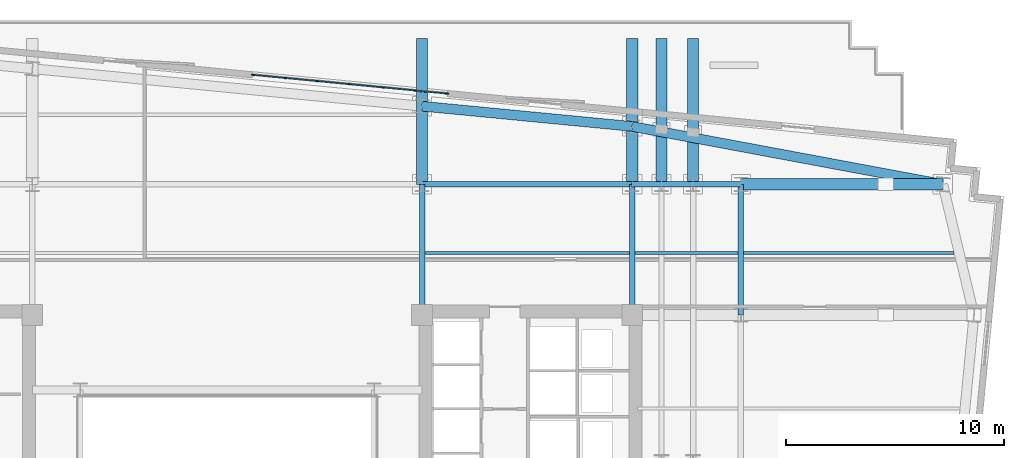
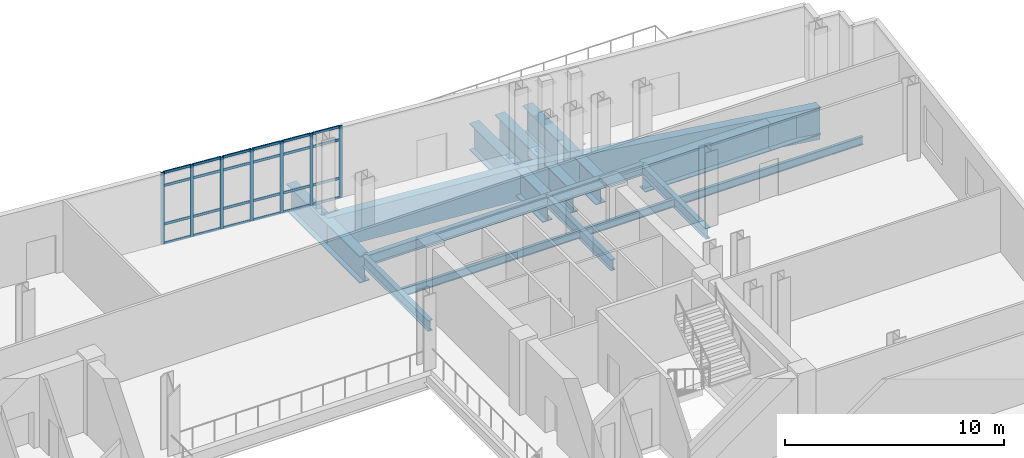
# One storey, part 3 of 11: 31 members, 16 beams, 1 element without a shape of its own.
"""IFC4 building model written with IfcOpenShell, lengths in metres."""

from ifc_helpers import new_model, si_unit, direction, frame, origin, origin_2d, place, context, subcontext, project, spatial, rectangle, i_section, extrude, material, layer, layer_set, material_profile, profile_set, type_object, element, aggregate, save


model = new_model("IFC4")

# Units and contexts
model_context = context("Model", 3, precision=1e-05, world=origin(), true_north=direction((0.0, 1.0)))
body_context = subcontext(model_context, "Body", "Model", "MODEL_VIEW")
ifc_project = project(units=[si_unit("LENGTHUNIT", "METRE"), si_unit("AREAUNIT", "SQUARE_METRE"), si_unit("VOLUMEUNIT", "CUBIC_METRE"), si_unit("PLANEANGLEUNIT", "RADIAN"), si_unit("MASSUNIT", "GRAM", prefix="KILO")], contexts=[model_context])

# Site, building, storey
site_placement = place(None, origin())
site = spatial("IfcSite", under=ifc_project, at=site_placement, CompositionType="ELEMENT")
building_placement = place(site_placement, origin())
building = spatial("IfcBuilding", under=site, at=building_placement, Name="Velakula Bourse", CompositionType="ELEMENT")
storey_placement = place(building_placement, frame((0.0, 0.0, 156.199951171875)))
storey = spatial("IfcBuildingStorey", under=building, at=storey_placement, Name="L42", CompositionType="ELEMENT", Elevation=156.199951171875)

# Beams
ifc_material_1 = material(Name="Steel IS 2062 Grade 350 (E350)", Category="steel")
ifc_material_profile_1 = material_profile(ifc_material_1, i_section(OverallWidth=0.25, OverallDepth=0.60009765625, WebThickness=0.01123046875, FlangeThickness=0.021240234375, at=origin_2d()), Name="Steel IS 2062 Grade 350 (E350)")
ifc_profile_set_1 = profile_set([ifc_material_profile_1], Name="Steel IS 2062 Grade 350 (E350)")
beam_type_1 = type_object("IfcBeamType", Name="BM-GRD-600M", PredefinedType="BEAM", material=ifc_profile_set_1)
for number, where, z_axis, x_axis, name in (
    (1, (8.949951171875, 8.60009765625, -0.579833984375), (0.0, 1.0, 0.0), (-1.0, 0.0, 0.0), "L42 Fulcrum Grid Girder FLC-ECN"),
    (2, (18.60009765625, 8.60009765625, -0.579833984375), (0.0, 1.0, 0.0), (-1.0, 0.0, 0.0), "L42 Fulcrum Grid Girder FLC-EN"),
):
    element("IfcBeam", number, at=place(storey_placement, frame(where, z_axis=z_axis, x_axis=x_axis)), inside=storey, type_object=beam_type_1, Name=name, PredefinedType="BEAM", context=body_context, shape_type="SweptSolid", body=[
        extrude(i_section(OverallWidth=0.25, OverallDepth=0.60009765625, WebThickness=0.01123046875, FlangeThickness=0.021240234375, at=origin_2d()), origin(), (0.0, 0.0, 1.0), 6.0),
    ])
beam_1_placement = place(storey_placement, frame((8.949951171875, 14.60009765625, -0.579833984375), z_axis=(1.0, 0.0, 0.0), x_axis=(0.0, 1.0, 0.0)))
element("IfcBeam", 3, at=beam_1_placement, inside=storey, type_object=beam_type_1, Name="L42 Fulcrum Grid Girder FLC-N3", PredefinedType="BEAM", context=body_context, shape_type="SweptSolid", body=[
    extrude(i_section(OverallWidth=0.25, OverallDepth=0.60009765625, WebThickness=0.01123046875, FlangeThickness=0.021240234375, at=origin_2d()), origin(), (0.0, 0.0, 1.0), 9.650146484375),
])
beam_2_placement = place(storey_placement, frame((18.60009765625, 14.60009765625, -0.579833984375), z_axis=(1.0, 0.0, 0.0), x_axis=(0.0, 1.0, 0.0)))
element("IfcBeam", 4, at=beam_2_placement, inside=storey, type_object=beam_type_1, Name="L42 Fulcrum Grid Girder MWG-EN2", PredefinedType="BEAM", context=body_context, shape_type="SweptSolid", body=[
    extrude(i_section(OverallWidth=0.25, OverallDepth=0.60009765625, WebThickness=0.01123046875, FlangeThickness=0.021240234375, at=origin_2d()), origin(), (0.0, 0.0, 1.0), 5.0),
])
beam_3_placement = place(storey_placement, frame((23.60009765625, 8.60009765625, -0.579833984375), z_axis=(0.0, 1.0, 0.0), x_axis=(-1.0, 0.0, 0.0)))
element("IfcBeam", 5, at=beam_3_placement, inside=storey, type_object=beam_type_1, Name="L42 Fulcrum Grid Girder MWG-ENS3", PredefinedType="BEAM", context=body_context, shape_type="SweptSolid", body=[
    extrude(i_section(OverallWidth=0.25, OverallDepth=0.60009765625, WebThickness=0.01123046875, FlangeThickness=0.021240234375, at=origin_2d()), origin(), (0.0, 0.0, 1.0), 6.0),
])
ifc_material_profile_2 = material_profile(ifc_material_1, i_section(OverallWidth=0.14990234375, OverallDepth=0.449951171875, WebThickness=0.009521484375, FlangeThickness=0.017333984375, at=origin_2d()), Name="Steel IS 2062 Grade 350 (E350)")
ifc_profile_set_2 = profile_set([ifc_material_profile_2], Name="Steel IS 2062 Grade 350 (E350)")
beam_type_2 = type_object("IfcBeamType", Name="JST-TWR-450", PredefinedType="JOIST", material=ifc_profile_set_2)
beam_4_placement = place(storey_placement, frame((9.074951171875, 11.449951171875, -0.5048828125), z_axis=(1.0, 0.0, 0.0), x_axis=(0.0, 1.0, 0.0)))
element("IfcBeam", 6, at=beam_4_placement, inside=storey, type_object=beam_type_2, Name="L42 Trading Floor Composite Joist 14", PredefinedType="JOIST", context=body_context, shape_type="SweptSolid", body=[
    extrude(i_section(OverallWidth=0.14990234375, OverallDepth=0.449951171875, WebThickness=0.009521484375, FlangeThickness=0.017333984375, at=origin_2d()), origin(), (0.0, 0.0, 1.0), 9.400146484375),
])
beam_5_placement = place(storey_placement, frame((18.72509765625, 11.449951171875, -0.5048828125), z_axis=(1.0, 0.0, 0.0), x_axis=(0.0, 1.0, 0.0)))
element("IfcBeam", 7, at=beam_5_placement, inside=storey, type_object=beam_type_2, Name="L42 Trading Floor Composite Joist 15", PredefinedType="JOIST", context=body_context, shape_type="SweptSolid", body=[
    extrude(i_section(OverallWidth=0.14990234375, OverallDepth=0.449951171875, WebThickness=0.009521484375, FlangeThickness=0.017333984375, at=origin_2d()), origin(), (0.0, 0.0, 1.0), 4.75),
])
beam_6_placement = place(storey_placement, frame((23.72509765625, 11.449951171875, -0.5048828125), z_axis=(1.0, 0.0, 0.0), x_axis=(0.0, 1.0, 0.0)))
element("IfcBeam", 8, at=beam_6_placement, inside=storey, type_object=beam_type_2, Name="L42 Trading Floor Composite Joist 16", PredefinedType="JOIST", context=body_context, shape_type="SweptSolid", body=[
    extrude(i_section(OverallWidth=0.14990234375, OverallDepth=0.449951171875, WebThickness=0.009521484375, FlangeThickness=0.017333984375, at=origin_2d()), origin(), (0.0, 0.0, 1.0), 9.668701171875),
])

# Curtain wall, members
ifc_material_2 = material(Name="Anodised bronze architectural aluminium", Category="aluminium")
ifc_layer = layer(ifc_material_2, 0.1650390625, Name="Anodised bronze architectural aluminium", Category="aluminium")
ifc_layer_set = layer_set([ifc_layer], Name="Anodised bronze architectural aluminium")
curtain_wall_type = type_object("IfcCurtainWallType", Name="CW-SL1", PredefinedType="NOTDEFINED", material=ifc_layer_set)
curtain_wall_placement = place(storey_placement, origin())
curtain_wall = element("IfcCurtainWall", 9, at=curtain_wall_placement, inside=storey, type_object=curtain_wall_type, Name="L42 Sky-Lobby Feature Curtain Wall", PredefinedType="NOTDEFINED")
ifc_material_profile_3 = material_profile(ifc_material_2, rectangle(XDim=0.06005859375, YDim=0.1650390625, at=origin_2d()), Name="Anodised bronze architectural aluminium")
ifc_profile_set_3 = profile_set([ifc_material_profile_3], Name="Anodised bronze architectural aluminium")
member_type_1 = type_object("IfcMemberType", Name="MUL-CW-SL1", PredefinedType="MULLION", material=ifc_profile_set_3)
member_1_placement = place(storey_placement, frame((1.18994140625, 19.630126953125, 0.0), z_axis=(0.0, 0.0, 1.0), x_axis=(0.095855102754, 0.995395297998, 0.0)))
member_1 = element("IfcMember", 10, at=member_1_placement, type_object=member_type_1, Name="CW-SL1 mullion 1", PredefinedType="MULLION", context=body_context, shape_type="SweptSolid", body=[
    extrude(rectangle(XDim=0.06005859375, YDim=0.1650390625, at=origin_2d()), origin(), (0.0, 0.0, 1.0), 4.0),
])
member_2_placement = place(storey_placement, frame((2.653076171875, 19.4892578125, 0.0), z_axis=(0.0, 0.0, 1.0), x_axis=(0.095855102754, 0.995395297998, 0.0)))
member_2 = element("IfcMember", 11, at=member_2_placement, type_object=member_type_1, Name="CW-SL1 mullion 2", PredefinedType="MULLION", context=body_context, shape_type="SweptSolid", body=[
    extrude(rectangle(XDim=0.06005859375, YDim=0.1650390625, at=origin_2d()), origin(), (0.0, 0.0, 1.0), 4.0),
])
member_3_placement = place(storey_placement, frame((4.146240234375, 19.345458984375, 0.0), z_axis=(0.0, 0.0, 1.0), x_axis=(0.095855102754, 0.995395297998, 0.0)))
member_3 = element("IfcMember", 12, at=member_3_placement, type_object=member_type_1, Name="CW-SL1 mullion 3", PredefinedType="MULLION", context=body_context, shape_type="SweptSolid", body=[
    extrude(rectangle(XDim=0.06005859375, YDim=0.1650390625, at=origin_2d()), origin(), (0.0, 0.0, 1.0), 4.0),
])
member_4_placement = place(storey_placement, frame((5.639404296875, 19.20166015625, 0.0), z_axis=(0.0, 0.0, 1.0), x_axis=(0.095855102754, 0.995395297998, 0.0)))
member_4 = element("IfcMember", 13, at=member_4_placement, type_object=member_type_1, Name="CW-SL1 mullion 4", PredefinedType="MULLION", context=body_context, shape_type="SweptSolid", body=[
    extrude(rectangle(XDim=0.06005859375, YDim=0.1650390625, at=origin_2d()), origin(), (0.0, 0.0, 1.0), 4.0),
])
member_5_placement = place(storey_placement, frame((7.13232421875, 19.057861328125, 0.0), z_axis=(0.0, 0.0, 1.0), x_axis=(0.095855102754, 0.995395297998, 0.0)))
member_5 = element("IfcMember", 14, at=member_5_placement, type_object=member_type_1, Name="CW-SL1 mullion 5", PredefinedType="MULLION", context=body_context, shape_type="SweptSolid", body=[
    extrude(rectangle(XDim=0.06005859375, YDim=0.1650390625, at=origin_2d()), origin(), (0.0, 0.0, 1.0), 4.0),
])
member_6_placement = place(storey_placement, frame((8.62548828125, 18.9140625, 0.0), z_axis=(0.0, 0.0, 1.0), x_axis=(0.095855102754, 0.995395297998, 0.0)))
member_6 = element("IfcMember", 15, at=member_6_placement, type_object=member_type_1, Name="CW-SL1 mullion 6", PredefinedType="MULLION", context=body_context, shape_type="SweptSolid", body=[
    extrude(rectangle(XDim=0.06005859375, YDim=0.1650390625, at=origin_2d()), origin(), (0.0, 0.0, 1.0), 4.0),
])
member_7_placement = place(storey_placement, frame((10.088623046875, 18.773193359375, 0.0), z_axis=(0.0, 0.0, 1.0), x_axis=(0.095855102754, 0.995395297998, 0.0)))
member_7 = element("IfcMember", 16, at=member_7_placement, type_object=member_type_1, Name="CW-SL1 mullion 7", PredefinedType="MULLION", context=body_context, shape_type="SweptSolid", body=[
    extrude(rectangle(XDim=0.06005859375, YDim=0.1650390625, at=origin_2d()), origin(), (0.0, 0.0, 1.0), 4.0),
])

# Beams
ifc_material_3 = material(Name="Concrete M50 (fck 50 MPa)", Category="concrete")
ifc_material_profile_4 = material_profile(ifc_material_3, rectangle(XDim=0.449951171875, YDim=1.800048828125, at=origin_2d()), Name="Concrete M50 (fck 50 MPa)")
ifc_profile_set_4 = profile_set([ifc_material_profile_4], Name="Concrete M50 (fck 50 MPa)")
beam_type_3 = type_object("IfcBeamType", Name="SPN-TRF-1800", PredefinedType="SPANDREL", material=ifc_profile_set_4)
beam_7_placement = place(storey_placement, frame((8.949951171875, 18.189697265625, -1.179931640625), z_axis=(0.99539623971, -0.095845323155, 0.0), x_axis=(0.095845323155, 0.99539623971, 0.0)))
element("IfcBeam", 17, at=beam_7_placement, inside=storey, type_object=beam_type_3, Name="L42 Brick-Faced Precast Spandrel N3-N4", PredefinedType="SPANDREL", context=body_context, shape_type="SweptSolid", body=[
    extrude(rectangle(XDim=0.449951171875, YDim=1.800048828125, at=origin_2d()), origin(), (0.0, 0.0, 1.0), 9.69482421875),
])
beam_8_placement = place(storey_placement, frame((32.87353515625, 14.60009765625, -1.179931640625), z_axis=(-0.983069592122, 0.183232576378, 0.0), x_axis=(-0.183232576378, -0.983069592122, 0.0)))
element("IfcBeam", 18, at=beam_8_placement, inside=storey, type_object=beam_type_3, Name="L42 Brick-Faced Precast Spandrel E4-N4", PredefinedType="SPANDREL", context=body_context, shape_type="SweptSolid", body=[
    extrude(rectangle(XDim=0.449951171875, YDim=1.800048828125, at=origin_2d()), origin(), (0.0, 0.0, 1.0), 14.519287109375),
])
ifc_material_4 = material(Name="Steel IS 2062 Grade 450 (E450)", Category="steel")
ifc_material_profile_5 = material_profile(ifc_material_4, i_section(OverallWidth=0.52001953125, OverallDepth=1.5, WebThickness=0.030029296875, FlangeThickness=0.048095703125, at=origin_2d()), Name="Steel IS 2062 Grade 450 (E450)")
ifc_profile_set_5 = profile_set([ifc_material_profile_5], Name="Steel IS 2062 Grade 450 (E450)")
beam_type_4 = type_object("IfcBeamType", Name="TB-CANT-1500", PredefinedType="BEAM", material=ifc_profile_set_5)
for number, where, z_axis, x_axis, name in (
    (19, (8.949951171875, 14.60009765625, -1.030029296875), (0.0, 1.0, 0.0), (-1.0, 0.0, 0.0), "L42 Block B4 Transfer Girder N3"),
    (20, (18.60009765625, 14.60009765625, -1.030029296875), (0.0, 1.0, 0.0), (-1.0, 0.0, 0.0), "L42 Block B4 Transfer Girder N4"),
):
    element("IfcBeam", number, at=place(storey_placement, frame(where, z_axis=z_axis, x_axis=x_axis)), inside=storey, type_object=beam_type_4, Name=name, PredefinedType="BEAM", context=body_context, shape_type="SweptSolid", body=[
        extrude(i_section(OverallWidth=0.52001953125, OverallDepth=1.5, WebThickness=0.030029296875, FlangeThickness=0.048095703125, at=origin_2d()), origin(), (0.0, 0.0, 1.0), 6.699951171875),
    ])
beam_9_placement = place(storey_placement, frame((23.60009765625, 14.60009765625, -1.030029296875), z_axis=(1.0, 0.0, 0.0), x_axis=(0.0, 1.0, 0.0)))
element("IfcBeam", 21, at=beam_9_placement, inside=storey, type_object=beam_type_4, Name="L42 Collinear Transfer Back-Span Girder E4", PredefinedType="BEAM", context=body_context, shape_type="SweptSolid", body=[
    extrude(i_section(OverallWidth=0.52001953125, OverallDepth=1.5, WebThickness=0.030029296875, FlangeThickness=0.048095703125, at=origin_2d()), origin(), (0.0, 0.0, 1.0), 6.64990234375),
])
beam_10_placement = place(storey_placement, frame((30.25, 14.60009765625, -1.030029296875), z_axis=(1.0, 0.0, 0.0), x_axis=(0.0, 1.0, 0.0)))
element("IfcBeam", 22, at=beam_10_placement, inside=storey, type_object=beam_type_4, Name="L42 Primary Cantilever Transfer Chord E4", PredefinedType="BEAM", context=body_context, shape_type="SweptSolid", body=[
    extrude(i_section(OverallWidth=0.52001953125, OverallDepth=1.5, WebThickness=0.030029296875, FlangeThickness=0.048095703125, at=origin_2d()), origin(), (0.0, 0.0, 1.0), 2.62353515625),
])
for number, where, z_axis, x_axis, name in (
    (23, (19.949951171875, 14.60009765625, -1.030029296875), (0.0, 1.0, 0.0), (-1.0, 0.0, 0.0), "L42 Block B4 Transfer Girder P07"),
    (24, (21.39990234375, 14.60009765625, -1.030029296875), (0.0, 1.0, 0.0), (-1.0, 0.0, 0.0), "L42 Block B4 Transfer Girder P08"),
):
    element("IfcBeam", number, at=place(storey_placement, frame(where, z_axis=z_axis, x_axis=x_axis)), inside=storey, type_object=beam_type_4, Name=name, PredefinedType="BEAM", context=body_context, shape_type="SweptSolid", body=[
        extrude(i_section(OverallWidth=0.52001953125, OverallDepth=1.5, WebThickness=0.030029296875, FlangeThickness=0.048095703125, at=origin_2d()), origin(), (0.0, 0.0, 1.0), 6.699951171875),
    ])

# Member
ifc_material_profile_6 = material_profile(ifc_material_2, rectangle(XDim=0.06005859375, YDim=0.139892578125, at=origin_2d()), Name="Anodised bronze architectural aluminium")
ifc_profile_set_6 = profile_set([ifc_material_profile_6], Name="Anodised bronze architectural aluminium")
member_type_2 = type_object("IfcMemberType", Name="TRN-CW-SL1", PredefinedType="USERDEFINED", material=ifc_profile_set_6)
member_8_placement = place(storey_placement, frame((1.2197265625, 19.627197265625, 0.030029296875), z_axis=(0.995405538909, -0.095748697689, 0.0), x_axis=(0.095748697689, 0.995405538909, 0.0)))
member_8 = element("IfcMember", 25, at=member_8_placement, type_object=member_type_2, Name="CW-SL1 transom 1.1", ObjectType="TRANSOM", PredefinedType="USERDEFINED", context=body_context, shape_type="SweptSolid", body=[
    extrude(rectangle(XDim=0.06005859375, YDim=0.139892578125, at=origin_2d()), origin(), (0.0, 0.0, 1.0), 1.41015625),
])

member_9_placement = place(storey_placement, frame((1.2197265625, 19.627197265625, 1.10009765625), z_axis=(0.995405538909, -0.095748697689, 0.0), x_axis=(0.095748697689, 0.995405538909, 0.0)))
member_9 = element("IfcMember", 26, at=member_9_placement, type_object=member_type_2, Name="CW-SL1 transom 1.2", ObjectType="TRANSOM", PredefinedType="USERDEFINED", context=body_context, shape_type="SweptSolid", body=[
    extrude(rectangle(XDim=0.06005859375, YDim=0.139892578125, at=origin_2d()), origin(), (0.0, 0.0, 1.0), 1.41015625),
])

member_10_placement = place(storey_placement, frame((1.2197265625, 19.627197265625, 3.25), z_axis=(0.995405538909, -0.095748697689, 0.0), x_axis=(0.095748697689, 0.995405538909, 0.0)))
member_10 = element("IfcMember", 27, at=member_10_placement, type_object=member_type_2, Name="CW-SL1 transom 1.3", ObjectType="TRANSOM", PredefinedType="USERDEFINED", context=body_context, shape_type="SweptSolid", body=[
    extrude(rectangle(XDim=0.06005859375, YDim=0.139892578125, at=origin_2d()), origin(), (0.0, 0.0, 1.0), 1.41015625),
])

member_11_placement = place(storey_placement, frame((1.2197265625, 19.627197265625, 3.969970703125), z_axis=(0.995405538909, -0.095748697689, 0.0), x_axis=(0.095748697689, 0.995405538909, 0.0)))
member_11 = element("IfcMember", 28, at=member_11_placement, type_object=member_type_2, Name="CW-SL1 transom 1.4", ObjectType="TRANSOM", PredefinedType="USERDEFINED", context=body_context, shape_type="SweptSolid", body=[
    extrude(rectangle(XDim=0.06005859375, YDim=0.139892578125, at=origin_2d()), origin(), (0.0, 0.0, 1.0), 1.41015625),
])

member_12_placement = place(storey_placement, frame((2.682861328125, 19.486328125, 0.030029296875), z_axis=(0.995402815321, -0.095777007946, 0.0), x_axis=(0.095777007946, 0.995402815321, 0.0)))
member_12 = element("IfcMember", 29, at=member_12_placement, type_object=member_type_2, Name="CW-SL1 transom 2.1", ObjectType="TRANSOM", PredefinedType="USERDEFINED", context=body_context, shape_type="SweptSolid", body=[
    extrude(rectangle(XDim=0.06005859375, YDim=0.139892578125, at=origin_2d()), origin(), (0.0, 0.0, 1.0), 1.440185546875),
])

member_13_placement = place(storey_placement, frame((2.682861328125, 19.486328125, 1.10009765625), z_axis=(0.995402815321, -0.095777007946, 0.0), x_axis=(0.095777007946, 0.995402815321, 0.0)))
member_13 = element("IfcMember", 30, at=member_13_placement, type_object=member_type_2, Name="CW-SL1 transom 2.2", ObjectType="TRANSOM", PredefinedType="USERDEFINED", context=body_context, shape_type="SweptSolid", body=[
    extrude(rectangle(XDim=0.06005859375, YDim=0.139892578125, at=origin_2d()), origin(), (0.0, 0.0, 1.0), 1.440185546875),
])

member_14_placement = place(storey_placement, frame((2.682861328125, 19.486328125, 3.25), z_axis=(0.995402815321, -0.095777007946, 0.0), x_axis=(0.095777007946, 0.995402815321, 0.0)))
member_14 = element("IfcMember", 31, at=member_14_placement, type_object=member_type_2, Name="CW-SL1 transom 2.3", ObjectType="TRANSOM", PredefinedType="USERDEFINED", context=body_context, shape_type="SweptSolid", body=[
    extrude(rectangle(XDim=0.06005859375, YDim=0.139892578125, at=origin_2d()), origin(), (0.0, 0.0, 1.0), 1.440185546875),
])

member_15_placement = place(storey_placement, frame((2.682861328125, 19.486328125, 3.969970703125), z_axis=(0.995402815321, -0.095777007946, 0.0), x_axis=(0.095777007946, 0.995402815321, 0.0)))
member_15 = element("IfcMember", 32, at=member_15_placement, type_object=member_type_2, Name="CW-SL1 transom 2.4", ObjectType="TRANSOM", PredefinedType="USERDEFINED", context=body_context, shape_type="SweptSolid", body=[
    extrude(rectangle(XDim=0.06005859375, YDim=0.139892578125, at=origin_2d()), origin(), (0.0, 0.0, 1.0), 1.440185546875),
])

member_16_placement = place(storey_placement, frame((4.176025390625, 19.342529296875, 0.030029296875), z_axis=(0.99540125991, -0.095793171836, 0.0), x_axis=(0.095793171836, 0.99540125991, 0.0)))
member_16 = element("IfcMember", 33, at=member_16_placement, type_object=member_type_2, Name="CW-SL1 transom 3.1", ObjectType="TRANSOM", PredefinedType="USERDEFINED", context=body_context, shape_type="SweptSolid", body=[
    extrude(rectangle(XDim=0.06005859375, YDim=0.139892578125, at=origin_2d()), origin(), (0.0, 0.0, 1.0), 1.43994140625),
])

member_17_placement = place(storey_placement, frame((4.176025390625, 19.342529296875, 1.10009765625), z_axis=(0.99540125991, -0.095793171836, 0.0), x_axis=(0.095793171836, 0.99540125991, 0.0)))
member_17 = element("IfcMember", 34, at=member_17_placement, type_object=member_type_2, Name="CW-SL1 transom 3.2", ObjectType="TRANSOM", PredefinedType="USERDEFINED", context=body_context, shape_type="SweptSolid", body=[
    extrude(rectangle(XDim=0.06005859375, YDim=0.139892578125, at=origin_2d()), origin(), (0.0, 0.0, 1.0), 1.43994140625),
])

member_18_placement = place(storey_placement, frame((4.176025390625, 19.342529296875, 3.25), z_axis=(0.99540125991, -0.095793171836, 0.0), x_axis=(0.095793171836, 0.99540125991, 0.0)))
member_18 = element("IfcMember", 35, at=member_18_placement, type_object=member_type_2, Name="CW-SL1 transom 3.3", ObjectType="TRANSOM", PredefinedType="USERDEFINED", context=body_context, shape_type="SweptSolid", body=[
    extrude(rectangle(XDim=0.06005859375, YDim=0.139892578125, at=origin_2d()), origin(), (0.0, 0.0, 1.0), 1.43994140625),
])

member_19_placement = place(storey_placement, frame((4.176025390625, 19.342529296875, 3.969970703125), z_axis=(0.99540125991, -0.095793171836, 0.0), x_axis=(0.095793171836, 0.99540125991, 0.0)))
member_19 = element("IfcMember", 36, at=member_19_placement, type_object=member_type_2, Name="CW-SL1 transom 3.4", ObjectType="TRANSOM", PredefinedType="USERDEFINED", context=body_context, shape_type="SweptSolid", body=[
    extrude(rectangle(XDim=0.06005859375, YDim=0.139892578125, at=origin_2d()), origin(), (0.0, 0.0, 1.0), 1.43994140625),
])

member_20_placement = place(storey_placement, frame((5.669189453125, 19.19873046875, 0.030029296875), z_axis=(0.99540125991, -0.095793171836, 0.0), x_axis=(0.095793171836, 0.99540125991, 0.0)))
member_20 = element("IfcMember", 37, at=member_20_placement, type_object=member_type_2, Name="CW-SL1 transom 4.1", ObjectType="TRANSOM", PredefinedType="USERDEFINED", context=body_context, shape_type="SweptSolid", body=[
    extrude(rectangle(XDim=0.06005859375, YDim=0.139892578125, at=origin_2d()), origin(), (0.0, 0.0, 1.0), 1.43994140625),
])

member_21_placement = place(storey_placement, frame((5.669189453125, 19.19873046875, 1.10009765625), z_axis=(0.99540125991, -0.095793171836, 0.0), x_axis=(0.095793171836, 0.99540125991, 0.0)))
member_21 = element("IfcMember", 38, at=member_21_placement, type_object=member_type_2, Name="CW-SL1 transom 4.2", ObjectType="TRANSOM", PredefinedType="USERDEFINED", context=body_context, shape_type="SweptSolid", body=[
    extrude(rectangle(XDim=0.06005859375, YDim=0.139892578125, at=origin_2d()), origin(), (0.0, 0.0, 1.0), 1.43994140625),
])

member_22_placement = place(storey_placement, frame((5.669189453125, 19.19873046875, 3.25), z_axis=(0.99540125991, -0.095793171836, 0.0), x_axis=(0.095793171836, 0.99540125991, 0.0)))
member_22 = element("IfcMember", 39, at=member_22_placement, type_object=member_type_2, Name="CW-SL1 transom 4.3", ObjectType="TRANSOM", PredefinedType="USERDEFINED", context=body_context, shape_type="SweptSolid", body=[
    extrude(rectangle(XDim=0.06005859375, YDim=0.139892578125, at=origin_2d()), origin(), (0.0, 0.0, 1.0), 1.43994140625),
])

member_23_placement = place(storey_placement, frame((5.669189453125, 19.19873046875, 3.969970703125), z_axis=(0.99540125991, -0.095793171836, 0.0), x_axis=(0.095793171836, 0.99540125991, 0.0)))
member_23 = element("IfcMember", 40, at=member_23_placement, type_object=member_type_2, Name="CW-SL1 transom 4.4", ObjectType="TRANSOM", PredefinedType="USERDEFINED", context=body_context, shape_type="SweptSolid", body=[
    extrude(rectangle(XDim=0.06005859375, YDim=0.139892578125, at=origin_2d()), origin(), (0.0, 0.0, 1.0), 1.43994140625),
])

member_24_placement = place(storey_placement, frame((7.162353515625, 19.054931640625, 0.030029296875), z_axis=(0.99540125991, -0.095793171836, 0.0), x_axis=(0.095793171836, 0.99540125991, 0.0)))
member_24 = element("IfcMember", 41, at=member_24_placement, type_object=member_type_2, Name="CW-SL1 transom 5.1", ObjectType="TRANSOM", PredefinedType="USERDEFINED", context=body_context, shape_type="SweptSolid", body=[
    extrude(rectangle(XDim=0.06005859375, YDim=0.139892578125, at=origin_2d()), origin(), (0.0, 0.0, 1.0), 1.43994140625),
])

member_25_placement = place(storey_placement, frame((7.162353515625, 19.054931640625, 1.10009765625), z_axis=(0.99540125991, -0.095793171836, 0.0), x_axis=(0.095793171836, 0.99540125991, 0.0)))
member_25 = element("IfcMember", 42, at=member_25_placement, type_object=member_type_2, Name="CW-SL1 transom 5.2", ObjectType="TRANSOM", PredefinedType="USERDEFINED", context=body_context, shape_type="SweptSolid", body=[
    extrude(rectangle(XDim=0.06005859375, YDim=0.139892578125, at=origin_2d()), origin(), (0.0, 0.0, 1.0), 1.43994140625),
])

member_26_placement = place(storey_placement, frame((7.162353515625, 19.054931640625, 3.25), z_axis=(0.99540125991, -0.095793171836, 0.0), x_axis=(0.095793171836, 0.99540125991, 0.0)))
member_26 = element("IfcMember", 43, at=member_26_placement, type_object=member_type_2, Name="CW-SL1 transom 5.3", ObjectType="TRANSOM", PredefinedType="USERDEFINED", context=body_context, shape_type="SweptSolid", body=[
    extrude(rectangle(XDim=0.06005859375, YDim=0.139892578125, at=origin_2d()), origin(), (0.0, 0.0, 1.0), 1.43994140625),
])

member_27_placement = place(storey_placement, frame((7.162353515625, 19.054931640625, 3.969970703125), z_axis=(0.99540125991, -0.095793171836, 0.0), x_axis=(0.095793171836, 0.99540125991, 0.0)))
member_27 = element("IfcMember", 44, at=member_27_placement, type_object=member_type_2, Name="CW-SL1 transom 5.4", ObjectType="TRANSOM", PredefinedType="USERDEFINED", context=body_context, shape_type="SweptSolid", body=[
    extrude(rectangle(XDim=0.06005859375, YDim=0.139892578125, at=origin_2d()), origin(), (0.0, 0.0, 1.0), 1.43994140625),
])

member_28_placement = place(storey_placement, frame((8.6552734375, 18.9111328125, 0.030029296875), z_axis=(0.995405538909, -0.095748697689, 0.0), x_axis=(0.095748697689, 0.995405538909, 0.0)))
member_28 = element("IfcMember", 45, at=member_28_placement, type_object=member_type_2, Name="CW-SL1 transom 6.1", ObjectType="TRANSOM", PredefinedType="USERDEFINED", context=body_context, shape_type="SweptSolid", body=[
    extrude(rectangle(XDim=0.06005859375, YDim=0.139892578125, at=origin_2d()), origin(), (0.0, 0.0, 1.0), 1.41015625),
])

member_29_placement = place(storey_placement, frame((8.6552734375, 18.9111328125, 1.10009765625), z_axis=(0.995405538909, -0.095748697689, 0.0), x_axis=(0.095748697689, 0.995405538909, 0.0)))
member_29 = element("IfcMember", 46, at=member_29_placement, type_object=member_type_2, Name="CW-SL1 transom 6.2", ObjectType="TRANSOM", PredefinedType="USERDEFINED", context=body_context, shape_type="SweptSolid", body=[
    extrude(rectangle(XDim=0.06005859375, YDim=0.139892578125, at=origin_2d()), origin(), (0.0, 0.0, 1.0), 1.41015625),
])

member_30_placement = place(storey_placement, frame((8.6552734375, 18.9111328125, 3.25), z_axis=(0.995405538909, -0.095748697689, 0.0), x_axis=(0.095748697689, 0.995405538909, 0.0)))
member_30 = element("IfcMember", 47, at=member_30_placement, type_object=member_type_2, Name="CW-SL1 transom 6.3", ObjectType="TRANSOM", PredefinedType="USERDEFINED", context=body_context, shape_type="SweptSolid", body=[
    extrude(rectangle(XDim=0.06005859375, YDim=0.139892578125, at=origin_2d()), origin(), (0.0, 0.0, 1.0), 1.41015625),
])

member_31_placement = place(storey_placement, frame((8.6552734375, 18.9111328125, 3.969970703125), z_axis=(0.995405538909, -0.095748697689, 0.0), x_axis=(0.095748697689, 0.995405538909, 0.0)))
member_31 = element("IfcMember", 48, at=member_31_placement, type_object=member_type_2, Name="CW-SL1 transom 6.4", ObjectType="TRANSOM", PredefinedType="USERDEFINED", context=body_context, shape_type="SweptSolid", body=[
    extrude(rectangle(XDim=0.06005859375, YDim=0.139892578125, at=origin_2d()), origin(), (0.0, 0.0, 1.0), 1.41015625),
])

aggregate(curtain_wall, [member_1, member_2, member_3, member_4, member_5, member_6, member_7, member_8, member_9, member_10, member_11, member_12, member_13, member_14, member_15, member_16, member_17, member_18, member_19, member_20, member_21, member_22, member_23, member_24, member_25, member_26, member_27, member_28, member_29, member_30, member_31])

save(model, "model.ifc")
